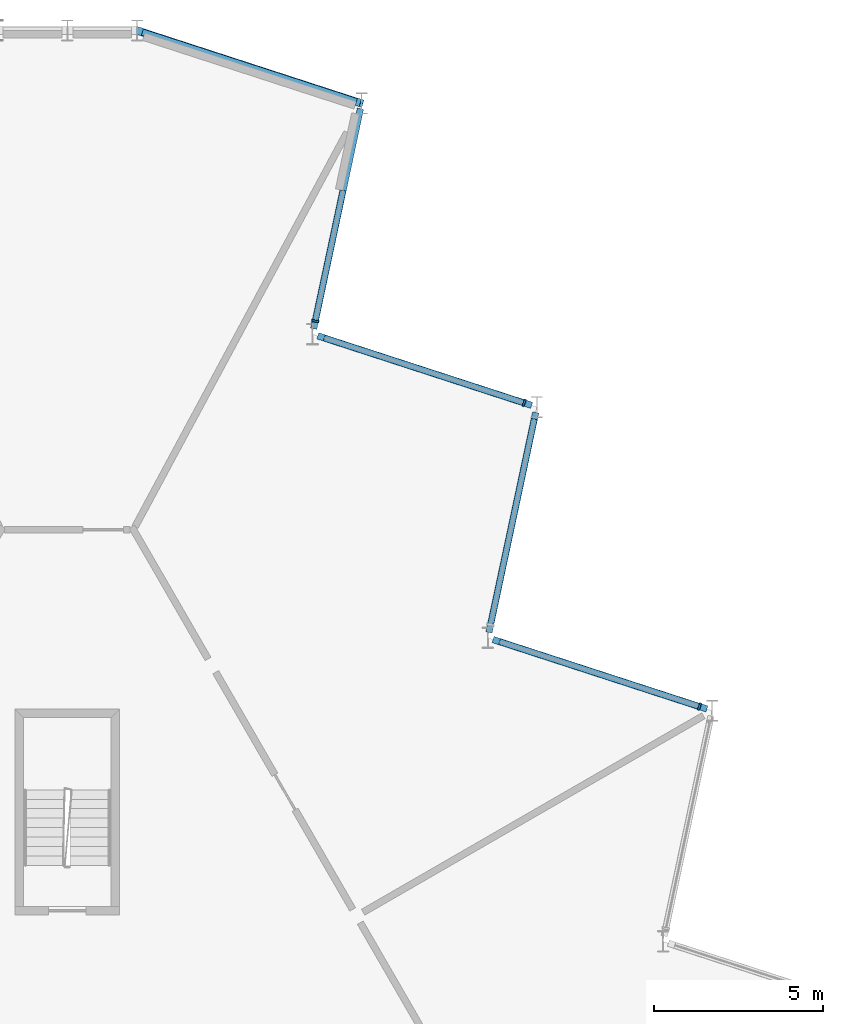
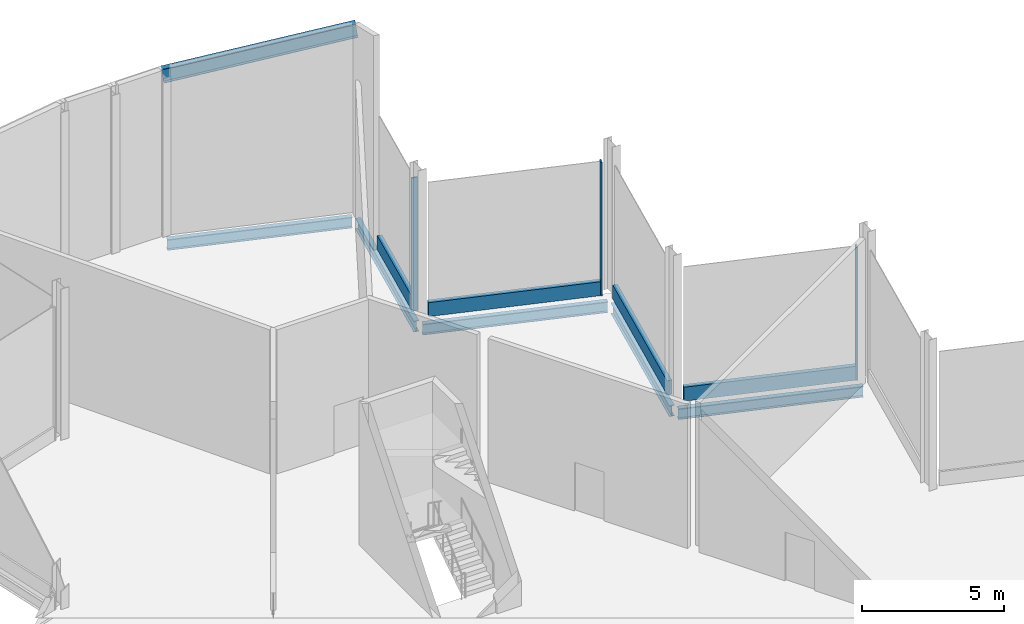
# One storey, part 8 of 12: 8 members, 5 beams, 4 elements without a shape of their own.
"""IFC4 building model written with IfcOpenShell, lengths in metres."""

from ifc_helpers import new_model, si_unit, direction, frame, origin, origin_2d, place, context, subcontext, project, spatial, rectangle, i_section, extrude, material, layer, layer_set, material_profile, profile_set, type_object, element, aggregate, save


model = new_model("IFC4")

# Units and contexts
model_context = context("Model", 3, precision=1e-05, world=origin(), true_north=direction((0.0, 1.0)))
body_context = subcontext(model_context, "Body", "Model", "MODEL_VIEW")
ifc_project = project(units=[si_unit("LENGTHUNIT", "METRE"), si_unit("AREAUNIT", "SQUARE_METRE"), si_unit("VOLUMEUNIT", "CUBIC_METRE"), si_unit("PLANEANGLEUNIT", "RADIAN"), si_unit("MASSUNIT", "GRAM", prefix="KILO")], contexts=[model_context])

# Site, building, storey
site_placement = place(None, origin())
site = spatial("IfcSite", under=ifc_project, at=site_placement, CompositionType="ELEMENT")
building_placement = place(site_placement, origin())
building = spatial("IfcBuilding", under=site, at=building_placement, Name="Cormorant Prow Tower", CompositionType="ELEMENT")
storey_placement = place(building_placement, frame((0.0, 0.0, 428.199951171875)))
storey = spatial("IfcBuildingStorey", under=building, at=storey_placement, Name="L96", CompositionType="ELEMENT", Elevation=428.199951171875)

# Member
ifc_material_1 = material(Name="Structural steel ASTM A992 Gr 50", Category="steel")
ifc_material_profile_1 = material_profile(ifc_material_1, i_section(OverallWidth=0.22900390625, OverallDepth=0.612060546875, WebThickness=0.011962890625, FlangeThickness=0.01953125, at=origin_2d()), Name="W24x84")
ifc_profile_set_1 = profile_set([ifc_material_profile_1], Name="Structural steel ASTM A992 Gr 50")
member_type_1 = type_object("IfcMemberType", Name="Crown frame edge member W24x84", PredefinedType="USERDEFINED", material=ifc_profile_set_1)
member_1_placement = place(storey_placement, frame((8.728515625, 29.05712890625, 7.726806640625), z_axis=(-0.942276055246, 0.306175765695, -0.135544222343), x_axis=(-0.309027690338, -0.951053040899, 0.0)))
element("IfcMember", 1, at=member_1_placement, inside=storey, type_object=member_type_1, Name="Crown frame edge member CF3 ENE09-N00", ObjectType="CROWN FRAME", PredefinedType="USERDEFINED", context=body_context, shape_type="SweptSolid", body=[
    extrude(i_section(OverallWidth=0.22900390625, OverallDepth=0.612060546875, WebThickness=0.011962890625, FlangeThickness=0.01953125, at=origin_2d()), origin(), (0.0, 0.0, 1.0), 7.0625),
])

# Curtain wall, member
ifc_material_2 = material(Name="Aluminium 6063-T6", Category="aluminium")
ifc_layer = layer(ifc_material_2, 0.219970703125)
ifc_layer_set = layer_set([ifc_layer], Name="Aluminium 6063-T6")
curtain_wall_type = type_object("IfcCurtainWallType", Name="Crown unitised curtain wall 220", PredefinedType="NOTDEFINED", material=ifc_layer_set)
curtain_wall_1_placement = place(storey_placement, origin())
curtain_wall_1 = element("IfcCurtainWall", 2, at=curtain_wall_1_placement, inside=storey, type_object=curtain_wall_type, Name="Crown curtain wall crown ENE05", PredefinedType="NOTDEFINED")
ifc_material_3 = material(Name="Aluminium 6063-T6", Category="aluminium")
ifc_material_profile_2 = material_profile(ifc_material_3, rectangle(XDim=0.219970703125, YDim=0.06005859375, at=origin_2d()), Name="Crown mullion 60x220")
ifc_profile_set_2 = profile_set([ifc_material_profile_2], Name="Aluminium 6063-T6")
member_type_2 = type_object("IfcMemberType", Name="Crown mullion 60x220", PredefinedType="MULLION", material=ifc_profile_set_2)
member_2_placement = place(storey_placement, frame((18.751953125, 11.166259765625, 0.0), z_axis=(0.0, 0.0, 1.0), x_axis=(-0.309017066365, -0.951056492904, 0.0)))
member_2 = element("IfcMember", 3, at=member_2_placement, type_object=member_type_2, Name="Crown mullion crown ENE05", PredefinedType="MULLION", context=body_context, shape_type="SweptSolid", body=[
    extrude(rectangle(XDim=0.219970703125, YDim=0.06005859375, at=origin_2d()), origin(), (0.0, 0.0, 1.0), 5.73388671875),
])

curtain_wall_2_placement = place(storey_placement, origin())
curtain_wall_2 = element("IfcCurtainWall", 4, at=curtain_wall_2_placement, inside=storey, type_object=curtain_wall_type, Name="Crown curtain wall crown ENE07", PredefinedType="NOTDEFINED")
member_3_placement = place(storey_placement, frame((13.552001953125, 20.1728515625, 0.0), z_axis=(0.0, 0.0, 1.0), x_axis=(-0.309016937108, -0.951056534902, 0.0)))
member_3 = element("IfcMember", 5, at=member_3_placement, type_object=member_type_2, Name="Crown mullion crown ENE07", PredefinedType="MULLION", context=body_context, shape_type="SweptSolid", body=[
    extrude(rectangle(XDim=0.219970703125, YDim=0.06005859375, at=origin_2d()), origin(), (0.0, 0.0, 1.0), 5.73388671875),
])

curtain_wall_3_placement = place(storey_placement, origin())
curtain_wall_3 = element("IfcCurtainWall", 6, at=curtain_wall_3_placement, inside=storey, type_object=curtain_wall_type, Name="Crown curtain wall crown ENE08", PredefinedType="NOTDEFINED")
member_4_placement = place(storey_placement, frame((7.356201171875, 22.60009765625, 0.0), z_axis=(0.0, 0.0, 1.0), x_axis=(-0.978147615768, 0.207911620089, 0.0)))
member_4 = element("IfcMember", 7, at=member_4_placement, type_object=member_type_2, Name="Crown mullion crown ENE08", PredefinedType="MULLION", context=body_context, shape_type="SweptSolid", body=[
    extrude(rectangle(XDim=0.219970703125, YDim=0.06005859375, at=origin_2d()), origin(), (0.0, 0.0, 1.0), 5.73388671875),
])

# Beams
ifc_material_4 = material(Name="Structural steel ASTM A992 Gr 50", Category="steel")
ifc_material_profile_3 = material_profile(ifc_material_4, i_section(OverallWidth=0.19287109375, OverallDepth=0.466064453125, WebThickness=0.011474609375, FlangeThickness=0.01904296875, at=origin_2d()), Name="W18x65")
ifc_profile_set_3 = profile_set([ifc_material_profile_3], Name="Structural steel ASTM A992 Gr 50")
beam_type = type_object("IfcBeamType", Name="Crown ring beam W18x65", PredefinedType="SPANDREL", material=ifc_profile_set_3)
for number, where, z_axis, x_axis, name in (
    (8, (18.973388671875, 11.09423828125, -0.532958984375), (-0.951049666898, 0.309038073858, 0.0), (-0.309038073858, -0.951049666898, 0.0), "Crown ring beam SB5 ENE05-ENE06 L96"),
    (9, (12.5078125, 13.365966796875, -0.532958984375), (0.207919161079, 0.978146012851, 0.0), (-0.978146012851, 0.207919161079, 0.0), "Crown ring beam SB5 ENE06-ENE07 L96"),
):
    element("IfcBeam", number, at=place(storey_placement, frame(where, z_axis=z_axis, x_axis=x_axis)), inside=storey, type_object=beam_type, Name=name, PredefinedType="SPANDREL", context=body_context, shape_type="SweptSolid", body=[
        extrude(i_section(OverallWidth=0.19287109375, OverallDepth=0.466064453125, WebThickness=0.011474609375, FlangeThickness=0.01904296875, at=origin_2d()), origin(), (0.0, 0.0, 1.0), 6.670654296875),
    ])
beam_placement = place(storey_placement, frame((13.7734375, 20.10107421875, -0.532958984375), z_axis=(-0.951063917575, 0.308994214649, 0.0), x_axis=(-0.308994214649, -0.951063917575, 0.0)))
element("IfcBeam", 10, at=beam_placement, inside=storey, type_object=beam_type, Name="Crown ring beam SB5 ENE07-ENE08 L96", PredefinedType="SPANDREL", context=body_context, shape_type="SweptSolid", body=[
    extrude(i_section(OverallWidth=0.19287109375, OverallDepth=0.466064453125, WebThickness=0.011474609375, FlangeThickness=0.01904296875, at=origin_2d()), origin(), (0.0, 0.0, 1.0), 6.6708984375),
])
for number, where, z_axis, x_axis, name in (
    (11, (7.307861328125, 22.37255859375, -0.532958984375), (0.207884143827, 0.978153455622, 0.0), (-0.978153455622, 0.207884143827, 0.0), "Crown ring beam SB5 ENE08-ENE09 L96"),
    (12, (8.5732421875, 29.107666015625, -0.532958984375), (-0.951049666898, 0.309038073858, 0.0), (-0.309038073858, -0.951049666898, 0.0), "Crown ring beam SB5 ENE09-N00 L96"),
):
    element("IfcBeam", number, at=place(storey_placement, frame(where, z_axis=z_axis, x_axis=x_axis)), inside=storey, type_object=beam_type, Name=name, PredefinedType="SPANDREL", context=body_context, shape_type="SweptSolid", body=[
        extrude(i_section(OverallWidth=0.19287109375, OverallDepth=0.466064453125, WebThickness=0.011474609375, FlangeThickness=0.01904296875, at=origin_2d()), origin(), (0.0, 0.0, 1.0), 6.670654296875),
    ])

# Member
ifc_material_5 = material(Name="Terracotta", Category="masonry")
ifc_material_profile_4 = material_profile(ifc_material_5, rectangle(XDim=0.179931640625, YDim=0.60009765625, at=origin_2d()), Name="Crown terracotta spandrel rail 180x600")
ifc_profile_set_4 = profile_set([ifc_material_profile_4], Name="Terracotta")
member_type_3 = type_object("IfcMemberType", Name="Crown terracotta spandrel rail 180x600", PredefinedType="USERDEFINED", material=ifc_profile_set_4)
member_5_placement = place(storey_placement, frame((18.723388671875, 11.175537109375, 0.300048828125), z_axis=(-0.951059797983, 0.309006894194, 0.0), x_axis=(-0.309006894194, -0.951059797983, 0.0)))
member_5 = element("IfcMember", 13, at=member_5_placement, type_object=member_type_3, Name="Crown spandrel rail crown ENE05", ObjectType="TRANSOM", PredefinedType="USERDEFINED", context=body_context, shape_type="SweptSolid", body=[
    extrude(rectangle(XDim=0.179931640625, YDim=0.60009765625, at=origin_2d()), origin(), (0.0, 0.0, 1.0), 6.205322265625),
])

aggregate(curtain_wall_1, [member_2, member_5])

# Curtain wall, member
curtain_wall_4_placement = place(storey_placement, origin())
curtain_wall_4 = element("IfcCurtainWall", 14, at=curtain_wall_4_placement, inside=storey, type_object=curtain_wall_type, Name="Crown curtain wall crown ENE06", PredefinedType="NOTDEFINED")
member_6_placement = place(storey_placement, frame((12.562255859375, 13.622802734375, 0.300048828125), z_axis=(0.207927454003, 0.978144250033, 0.0), x_axis=(-0.978144250033, 0.207927454003, 0.0)))
member_6 = element("IfcMember", 15, at=member_6_placement, type_object=member_type_3, Name="Crown spandrel rail crown ENE06", ObjectType="TRANSOM", PredefinedType="USERDEFINED", context=body_context, shape_type="SweptSolid", body=[
    extrude(rectangle(XDim=0.179931640625, YDim=0.60009765625, at=origin_2d()), origin(), (0.0, 0.0, 1.0), 6.20556640625),
])
aggregate(curtain_wall_4, [member_6])

# Member
member_7_placement = place(storey_placement, frame((13.5234375, 20.18212890625, 0.300048828125), z_axis=(-0.951048234918, 0.309042480672, 0.0), x_axis=(-0.309042480672, -0.951048234918, 0.0)))
member_7 = element("IfcMember", 16, at=member_7_placement, type_object=member_type_3, Name="Crown spandrel rail crown ENE07", ObjectType="TRANSOM", PredefinedType="USERDEFINED", context=body_context, shape_type="SweptSolid", body=[
    extrude(rectangle(XDim=0.179931640625, YDim=0.60009765625, at=origin_2d()), origin(), (0.0, 0.0, 1.0), 6.205322265625),
])

aggregate(curtain_wall_2, [member_3, member_7])

member_8_placement = place(storey_placement, frame((7.3623046875, 22.629638671875, 0.300048828125), z_axis=(0.20792187041, 0.978145436939, 0.0), x_axis=(-0.978145436939, 0.20792187041, 0.0)))
member_8 = element("IfcMember", 17, at=member_8_placement, type_object=member_type_3, Name="Crown spandrel rail crown ENE08", ObjectType="TRANSOM", PredefinedType="USERDEFINED", context=body_context, shape_type="SweptSolid", body=[
    extrude(rectangle(XDim=0.179931640625, YDim=0.60009765625, at=origin_2d()), origin(), (0.0, 0.0, 1.0), 3.932373046875),
])

aggregate(curtain_wall_3, [member_4, member_8])

save(model, "model.ifc")
